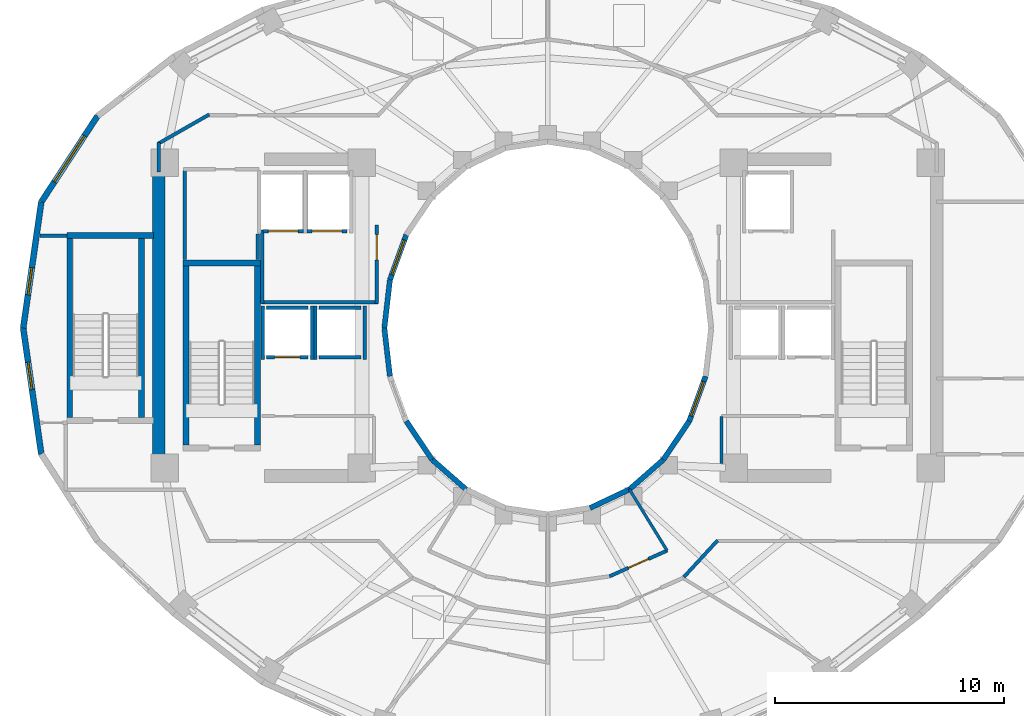
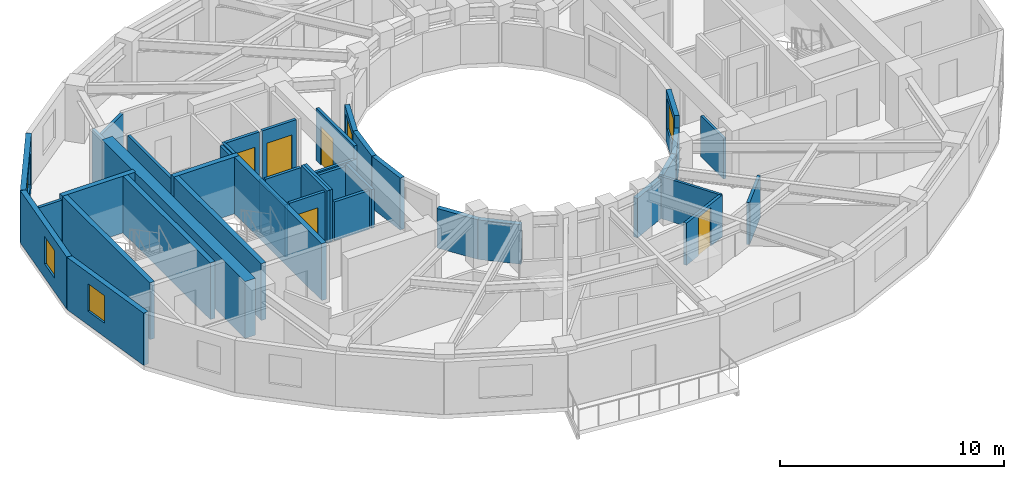
# One storey, part 4 of 9: 41 walls, 5 doors, 5 windows, 10 openings.
"""IFC4 building model written with IfcOpenShell, lengths in metres."""

from ifc_helpers import new_model, si_unit, direction, frame, frame_2d, origin, place, context, subcontext, project, spatial, rectangle, extrude, material, layer, layer_set, type_object, element, fill, save


model = new_model("IFC4")

# Units and contexts
model_context = context("Model", 3, precision=1e-05, world=origin(), true_north=direction((0.0, 1.0)))
body_context = subcontext(model_context, "Body", "Model", "MODEL_VIEW")
ifc_project = project(units=[si_unit("LENGTHUNIT", "METRE"), si_unit("AREAUNIT", "SQUARE_METRE"), si_unit("VOLUMEUNIT", "CUBIC_METRE"), si_unit("PLANEANGLEUNIT", "RADIAN"), si_unit("MASSUNIT", "GRAM", prefix="KILO")], contexts=[model_context])

# Site, building, storey
site_placement = place(None, origin())
site = spatial("IfcSite", under=ifc_project, at=site_placement, CompositionType="ELEMENT")
building_placement = place(site_placement, origin())
building = spatial("IfcBuilding", under=site, at=building_placement, Name="Solvane Sanctuary Tower", CompositionType="ELEMENT")
storey_placement = place(building_placement, frame((0.0, 0.0, 174.60009765625)))
storey = spatial("IfcBuildingStorey", under=building, at=storey_placement, Name="L53", CompositionType="ELEMENT", Elevation=174.60009765625)

# Walls
ifc_material_1 = material(Name="Concrete C50/60", Category="concrete")
ifc_layer_1 = layer(ifc_material_1, 0.550048828125, Name="Concrete C50/60")
ifc_layer_set_1 = layer_set([ifc_layer_1], Name="Concrete C50/60")
wall_type_1 = type_object("IfcWallType", Name="Wall W-CORE-550", PredefinedType="SHEAR", material=ifc_layer_set_1)
wall_1_placement = place(storey_placement, frame((15.050048828125, 17.050048828125, 0.0), z_axis=(0.0, 0.0, 1.0), x_axis=(0.0, 1.0, 0.0)))
element("IfcWall", 1, at=wall_1_placement, inside=storey, type_object=wall_type_1, Name="L53 Core Shear Wall WC-W", PredefinedType="SHEAR", context=body_context, shape_type="SweptSolid", body=[
    extrude(rectangle(XDim=12.800048828125, YDim=0.550048828125, at=frame_2d((6.39990234375, 0.0))), origin(), (0.0, 0.0, 1.0), 3.099853515625),
])
ifc_material_2 = material(Name="Acoustic Gypsum Partition Board")
ifc_layer_2 = layer(ifc_material_2, 0.14990234375, Name="Acoustic Gypsum Partition Board")
ifc_layer_set_2 = layer_set([ifc_layer_2], Name="Acoustic Gypsum Partition Board")
wall_type_2 = type_object("IfcWallType", Name="Wall W-CORR-150", PredefinedType="PARTITIONING", material=ifc_layer_set_2)
wall_2_placement = place(storey_placement, frame((19.52001953125, 24.1201171875, 0.0), z_axis=(0.0, 0.0, 1.0), x_axis=(1.0, 0.0, 0.0)))
element("IfcWall", 2, at=wall_2_placement, inside=storey, type_object=wall_type_2, Name="L53 West Firefighting Lobby South Wall", PredefinedType="PARTITIONING", context=body_context, shape_type="SweptSolid", body=[
    extrude(rectangle(XDim=5.080078125, YDim=0.14990234375, at=frame_2d((2.5400390625, 0.0))), origin(), (0.0, 0.0, 1.0), 2.119873046875),
])
wall_3_placement = place(storey_placement, frame((19.550048828125, 24.080078125, 0.0), z_axis=(0.0, 0.0, 1.0), x_axis=(0.0, 1.0, 0.0)))
element("IfcWall", 3, at=wall_3_placement, inside=storey, type_object=wall_type_2, Name="L53 West Firefighting Lobby West Wall", PredefinedType="PARTITIONING", context=body_context, shape_type="SweptSolid", body=[
    extrude(rectangle(XDim=3.199951171875, YDim=0.14990234375, at=frame_2d((1.60009765625, 0.0))), origin(), (0.0, 0.0, 1.0), 2.85498046875),
])

# Wall, opening, door
wall_4_placement = place(storey_placement, frame((24.550048828125, 24.080078125, 0.0), z_axis=(0.0, 0.0, 1.0), x_axis=(0.0, 1.0, 0.0)))
wall_4 = element("IfcWall", 4, at=wall_4_placement, inside=storey, type_object=wall_type_2, Name="L53 West Firefighting Lobby East Wall", PredefinedType="PARTITIONING", context=body_context, shape_type="SweptSolid", body=[
    extrude(rectangle(XDim=3.39990234375, YDim=0.14990234375, at=frame_2d((1.699951171875, 0.0))), origin(), (0.0, 0.0, 1.0), 2.85498046875),
])
opening_1_placement = place(wall_4_placement, frame((1.893798828125, 0.0, 0.0)))
opening_1 = element("IfcOpeningElement", 5, at=opening_1_placement, cuts=wall_4, Name="Opening D-L53-06", PredefinedType="OPENING", context=body_context, shape_type="SweptSolid", body=[
    extrude(rectangle(XDim=1.10009765625, YDim=2.10009765625, at=frame_2d((0.550048828125, 1.050048828125))), frame((0.0, 0.0849609375, 0.0), z_axis=(0.0, -1.0, 0.0), x_axis=(1.0, 0.0, 0.0)), (0.0, 0.0, 1.0), 0.169921875),
])
ifc_material_3 = material(Name="Architectural Stainless Steel 316", Category="steel")
door_type_1 = type_object("IfcDoorType", Name="Door D-FFL", OperationType="NOTDEFINED", PredefinedType="DOOR", material=ifc_material_3)
door_1_placement = place(opening_1_placement, origin())
door_1 = element("IfcDoor", 6, at=door_1_placement, inside=storey, type_object=door_type_1, Name="L53 West Firefighting Lobby Fire Door", OperationType="SINGLE_SWING_LEFT", OverallHeight=2.10009765625, OverallWidth=1.10009765625, PredefinedType="DOOR", context=body_context, shape_type="SweptSolid", body=[
    extrude(rectangle(XDim=1.10009765625, YDim=2.10009765625, at=frame_2d((0.550048828125, 1.050048828125))), frame((0.0, 0.02490234375, 0.0), z_axis=(0.0, -1.0, 0.0), x_axis=(1.0, 0.0, 0.0)), (0.0, 0.0, 1.0), 0.050048828125),
])
fill(opening_1, door_1)

# Walls
wall_5_placement = place(storey_placement, frame((9.869873046875, 27.030029296875, 0.0), z_axis=(0.0, 0.0, 1.0), x_axis=(1.0, 0.0, 0.0)))
element("IfcWall", 7, at=wall_5_placement, inside=storey, type_object=wall_type_2, Name="L53 NW Corner Closer 1", PredefinedType="PARTITIONING", context=body_context, shape_type="SweptSolid", body=[
    extrude(rectangle(XDim=1.170166015625, YDim=0.14990234375, at=frame_2d((0.5849609375, 0.0))), origin(), (0.0, 0.0, 1.0), 2.85498046875),
])
wall_6_placement = place(storey_placement, frame((15.050048828125, 29.800048828125, 0.0), z_axis=(0.0, 0.0, 1.0), x_axis=(0.0, 1.0, 0.0)))
element("IfcWall", 8, at=wall_6_placement, inside=storey, type_object=wall_type_2, Name="L53 NW Corner Closer 2", PredefinedType="PARTITIONING", context=body_context, shape_type="SweptSolid", body=[
    extrude(rectangle(XDim=1.2900390625, YDim=0.14990234375, at=frame_2d((0.64501953125, 0.0))), origin(), (0.0, 0.0, 1.0), 2.85498046875),
])
wall_7_placement = place(storey_placement, frame((17.243408203125, 32.3046875, 0.0), z_axis=(0.0, 0.0, 1.0), x_axis=(-0.867991349648, -0.496579315857, 0.0)))
element("IfcWall", 9, at=wall_7_placement, inside=storey, type_object=wall_type_2, Name="L53 NW Corner Wing Wall", PredefinedType="PARTITIONING", context=body_context, shape_type="SweptSolid", body=[
    extrude(rectangle(XDim=2.56689453125, YDim=0.14990234375, at=frame_2d((1.283447265625, 0.0))), origin(), (0.0, 0.0, 1.0), 2.219970703125),
])
wall_8_placement = place(storey_placement, frame((37.92822265625, 12.144287109375, 0.0), z_axis=(0.0, 0.0, 1.0), x_axis=(0.677579737957, 0.735449317567, 0.0)))
element("IfcWall", 10, at=wall_8_placement, inside=storey, type_object=wall_type_2, Name="L53 SE Corner Throat Wall", PredefinedType="PARTITIONING", context=body_context, shape_type="SweptSolid", body=[
    extrude(rectangle(XDim=2.172607421875, YDim=0.14990234375, at=frame_2d((1.08642578125, 0.0))), origin(), (0.0, 0.0, 1.0), 2.298828125),
])

# Wall, opening, door
wall_9_placement = place(storey_placement, frame((34.6904296875, 12.17919921875, 0.0), z_axis=(0.0, 0.0, 1.0), x_axis=(0.913145536541, 0.407633694749, 0.0)))
wall_9 = element("IfcWall", 11, at=wall_9_placement, inside=storey, type_object=wall_type_2, Name="L53 Inner Light-Well Corridor Wall S2", PredefinedType="PARTITIONING", context=body_context, shape_type="SweptSolid", body=[
    extrude(rectangle(XDim=2.75634765625, YDim=0.14990234375, at=frame_2d((1.378173828125, 0.0))), origin(), (0.0, 0.0, 1.0), 2.298828125),
])
opening_2_placement = place(wall_9_placement, frame((0.903076171875, 0.0, 0.0)))
opening_2 = element("IfcOpeningElement", 12, at=opening_2_placement, cuts=wall_9, Name="Opening D-L53-20", PredefinedType="OPENING", context=body_context, shape_type="SweptSolid", body=[
    extrude(rectangle(XDim=0.949951171875, YDim=2.10009765625, at=frame_2d((0.47509765625, 1.050048828125))), frame((0.0, 0.0849609375, 0.0), z_axis=(0.0, -1.0, 0.0), x_axis=(1.0, 0.0, 0.0)), (0.0, 0.0, 1.0), 0.169921875),
])
ifc_material_4 = material(Name="Engineered Tropical Hardwood", Category="wood")
door_type_2 = type_object("IfcDoorType", Name="Door D-ROOM-950", OperationType="NOTDEFINED", PredefinedType="DOOR", material=ifc_material_4)
door_2_placement = place(opening_2_placement, origin())
door_2 = element("IfcDoor", 13, at=door_2_placement, inside=storey, type_object=door_type_2, Name="L53 Inner Light-Well Salon Door S2", OperationType="SINGLE_SWING_LEFT", OverallHeight=2.10009765625, OverallWidth=0.949951171875, PredefinedType="DOOR", context=body_context, shape_type="SweptSolid", body=[
    extrude(rectangle(XDim=0.949951171875, YDim=2.10009765625, at=frame_2d((0.47509765625, 1.050048828125))), frame((0.0, 0.02490234375, 0.0), z_axis=(0.0, -1.0, 0.0), x_axis=(1.0, 0.0, 0.0)), (0.0, 0.0, 1.0), 0.050048828125),
])
fill(opening_2, door_2)

# Wall, opening, window
ifc_material_5 = material(Name="Precast concrete C40/50", Category="concrete")
ifc_layer_3 = layer(ifc_material_5, 0.260009765625, Name="Precast concrete C40/50")
ifc_layer_set_3 = layer_set([ifc_layer_3], Name="Precast concrete C40/50")
wall_type_3 = type_object("IfcWallType", Name="Wall W-EXT-250", PredefinedType="STANDARD", material=ifc_layer_set_3)
wall_10_placement = place(storey_placement, frame((12.380859375, 32.243408203125, 0.0), z_axis=(0.0, 0.0, 1.0), x_axis=(-0.547456494366, -0.836834145322, 0.0)))
wall_10 = element("IfcWall", 14, at=wall_10_placement, inside=storey, type_object=wall_type_3, Name="L53 Ceramic-Printed Facade Wall 10", PredefinedType="STANDARD", context=body_context, shape_type="SweptSolid", body=[
    extrude(rectangle(XDim=4.477294921875, YDim=0.260009765625, at=frame_2d((2.23876953125, 0.0))), origin(), (0.0, 0.0, 1.0), 2.849853515625),
])
opening_3_placement = place(wall_10_placement, frame((1.038818359375, 0.0, 0.75)))
opening_3 = element("IfcOpeningElement", 15, at=opening_3_placement, cuts=wall_10, Name="Opening WN-RIB-2400", PredefinedType="OPENING", context=body_context, shape_type="SweptSolid", body=[
    extrude(rectangle(XDim=2.39990234375, YDim=1.699951171875, at=frame_2d((1.199951171875, 0.85009765625))), frame((0.0, 0.139892578125, 0.0), z_axis=(0.0, -1.0, 0.0), x_axis=(1.0, 0.0, 0.0)), (0.0, 0.0, 1.0), 0.280029296875),
])
ifc_material_6 = material(Name="Dark Ceramic-Fritted Low-E Glass", Category="glass")
window_type_1 = type_object("IfcWindowType", Name="Window WN-RIB-2400", PartitioningType="SINGLE_PANEL", PredefinedType="WINDOW", material=ifc_material_6)
window_1_placement = place(opening_3_placement, origin())
window_1 = element("IfcWindow", 16, at=window_1_placement, inside=storey, type_object=window_type_1, Name="L53 Operable Facade Window 10", OverallHeight=1.699951171875, OverallWidth=2.39990234375, PartitioningType="SINGLE_PANEL", PredefinedType="WINDOW", context=body_context, shape_type="SweptSolid", body=[
    extrude(rectangle(XDim=2.39990234375, YDim=1.699951171875, at=frame_2d((1.199951171875, 0.85009765625))), frame((0.0, 0.030029296875, 0.0), z_axis=(0.0, -1.0, 0.0), x_axis=(1.0, 0.0, 0.0)), (0.0, 0.0, 1.0), 0.06005859375),
])
fill(opening_3, window_1)

wall_11_placement = place(storey_placement, frame((9.9296875, 28.49658203125, 0.0), z_axis=(0.0, 0.0, 1.0), x_axis=(-0.142227632286, -0.989833976288, 0.0)))
wall_11 = element("IfcWall", 17, at=wall_11_placement, inside=storey, type_object=wall_type_3, Name="L53 Ceramic-Printed Facade Wall 11", PredefinedType="STANDARD", context=body_context, shape_type="SweptSolid", body=[
    extrude(rectangle(XDim=5.552978515625, YDim=0.260009765625, at=frame_2d((2.7763671875, 0.0))), origin(), (0.0, 0.0, 1.0), 2.849853515625),
])
opening_4_placement = place(wall_11_placement, frame((2.892333984375, 0.0, 0.75)))
opening_4 = element("IfcOpeningElement", 18, at=opening_4_placement, cuts=wall_11, Name="Opening WN-OPER-1200", PredefinedType="OPENING", context=body_context, shape_type="SweptSolid", body=[
    extrude(rectangle(XDim=1.199951171875, YDim=1.5, at=frame_2d((0.60009765625, 0.75))), frame((0.0, 0.139892578125, 0.0), z_axis=(0.0, -1.0, 0.0), x_axis=(1.0, 0.0, 0.0)), (0.0, 0.0, 1.0), 0.280029296875),
])
window_type_2 = type_object("IfcWindowType", Name="Window WN-OPER-1200", PartitioningType="SINGLE_PANEL", PredefinedType="WINDOW", material=ifc_material_6)
window_2_placement = place(opening_4_placement, origin())
window_2 = element("IfcWindow", 19, at=window_2_placement, inside=storey, type_object=window_type_2, Name="L53 Operable Facade Window 11", OverallHeight=1.5, OverallWidth=1.199951171875, PartitioningType="SINGLE_PANEL", PredefinedType="WINDOW", context=body_context, shape_type="SweptSolid", body=[
    extrude(rectangle(XDim=1.199951171875, YDim=1.5, at=frame_2d((0.60009765625, 0.75))), frame((0.0, 0.030029296875, 0.0), z_axis=(0.0, -1.0, 0.0), x_axis=(1.0, 0.0, 0.0)), (0.0, 0.0, 1.0), 0.06005859375),
])
fill(opening_4, window_2)

wall_12_placement = place(storey_placement, frame((9.139892578125, 23.0, 0.0), z_axis=(0.0, 0.0, 1.0), x_axis=(0.142227632286, -0.989833976288, 0.0)))
wall_12 = element("IfcWall", 20, at=wall_12_placement, inside=storey, type_object=wall_type_3, Name="L53 Ceramic-Printed Facade Wall 12", PredefinedType="STANDARD", context=body_context, shape_type="SweptSolid", body=[
    extrude(rectangle(XDim=5.552978515625, YDim=0.260009765625, at=frame_2d((2.7763671875, 0.0))), origin(), (0.0, 0.0, 1.0), 2.849853515625),
])
opening_5_placement = place(wall_12_placement, frame((1.506103515625, 0.0, 0.75)))
opening_5 = element("IfcOpeningElement", 21, at=opening_5_placement, cuts=wall_12, Name="Opening WN-OPER-1200", PredefinedType="OPENING", context=body_context, shape_type="SweptSolid", body=[
    extrude(rectangle(XDim=1.199951171875, YDim=1.5, at=frame_2d((0.60009765625, 0.75))), frame((0.0, 0.139892578125, 0.0), z_axis=(0.0, -1.0, 0.0), x_axis=(1.0, 0.0, 0.0)), (0.0, 0.0, 1.0), 0.280029296875),
])
window_3_placement = place(opening_5_placement, origin())
window_3 = element("IfcWindow", 22, at=window_3_placement, inside=storey, type_object=window_type_2, Name="L53 Operable Facade Window 12", OverallHeight=1.5, OverallWidth=1.199951171875, PartitioningType="SINGLE_PANEL", PredefinedType="WINDOW", context=body_context, shape_type="SweptSolid", body=[
    extrude(rectangle(XDim=1.199951171875, YDim=1.5, at=frame_2d((0.60009765625, 0.75))), frame((0.0, 0.030029296875, 0.0), z_axis=(0.0, -1.0, 0.0), x_axis=(1.0, 0.0, 0.0)), (0.0, 0.0, 1.0), 0.06005859375),
])
fill(opening_5, window_3)

ifc_layer_4 = layer(ifc_material_5, 0.22998046875, Name="Precast concrete C40/50")
ifc_layer_set_4 = layer_set([ifc_layer_4], Name="Precast concrete C40/50")
wall_type_4 = type_object("IfcWallType", Name="Wall W-EXT-SP220", PredefinedType="STANDARD", material=ifc_layer_set_4)
wall_13_placement = place(storey_placement, frame((25.833984375, 27.06005859375, 0.0), z_axis=(0.0, 0.0, 1.0), x_axis=(-0.341423187295, -0.93990968033, 0.0)))
wall_13 = element("IfcWall", 23, at=wall_13_placement, inside=storey, type_object=wall_type_4, Name="L53 Central Light-Well Wall 10", PredefinedType="STANDARD", context=body_context, shape_type="SweptSolid", body=[
    extrude(rectangle(XDim=2.083740234375, YDim=0.22998046875, at=frame_2d((1.0419921875, 0.0))), origin(), (0.0, 0.0, 1.0), 2.83984375),
])
opening_6_placement = place(wall_13_placement, frame((0.24169921875, 0.0, 0.85009765625)))
opening_6 = element("IfcOpeningElement", 24, at=opening_6_placement, cuts=wall_13, Name="Opening WN-WELL-1600", PredefinedType="OPENING", context=body_context, shape_type="SweptSolid", body=[
    extrude(rectangle(XDim=1.60009765625, YDim=1.64990234375, at=frame_2d((0.800048828125, 0.824951171875))), frame((0.0, 0.125, 0.0), z_axis=(0.0, -1.0, 0.0), x_axis=(1.0, 0.0, 0.0)), (0.0, 0.0, 1.0), 0.25),
])
ifc_material_7 = material(Name="Clear Laminated Light-Well Glass", Category="glass")
window_type_3 = type_object("IfcWindowType", Name="Window WN-WELL-1600", PartitioningType="SINGLE_PANEL", PredefinedType="WINDOW", material=ifc_material_7)
window_4_placement = place(opening_6_placement, origin())
window_4 = element("IfcWindow", 25, at=window_4_placement, inside=storey, type_object=window_type_3, Name="L53 Light-Well Daylight Window 10", OverallHeight=1.64990234375, OverallWidth=1.60009765625, PartitioningType="SINGLE_PANEL", PredefinedType="WINDOW", context=body_context, shape_type="SweptSolid", body=[
    extrude(rectangle(XDim=1.60009765625, YDim=1.64990234375, at=frame_2d((0.800048828125, 0.824951171875))), frame((0.0, 0.030029296875, 0.0), z_axis=(0.0, -1.0, 0.0), x_axis=(1.0, 0.0, 0.0)), (0.0, 0.0, 1.0), 0.06005859375),
])
fill(opening_6, window_4)

# Walls
for number, where, z_axis, x_axis, name in (
    (26, (25.12255859375, 25.1015625, 0.0), (0.0, 0.0, 1.0), (-0.114711713601, -0.993398823617, 0.0), "L53 Central Light-Well Wall 11"),
    (27, (24.8798828125, 23.0, 0.0), (0.0, 0.0, 1.0), (0.114711713601, -0.993398823617, 0.0), "L53 Central Light-Well Wall 12"),
):
    element("IfcWall", number, at=place(storey_placement, frame(where, z_axis=z_axis, x_axis=x_axis)), inside=storey, type_object=wall_type_4, Name=name, PredefinedType="STANDARD", context=body_context, shape_type="SweptSolid", body=[
        extrude(rectangle(XDim=2.115478515625, YDim=0.22998046875, at=frame_2d((1.0576171875, 0.0))), origin(), (0.0, 0.0, 1.0), 2.83984375),
    ])
wall_14_placement = place(storey_placement, frame((25.833984375, 18.93994140625, 0.0), z_axis=(0.0, 0.0, 1.0), x_axis=(0.558197800898, -0.829707909492, 0.0)))
element("IfcWall", 28, at=wall_14_placement, inside=storey, type_object=wall_type_4, Name="L53 Central Light-Well Wall 14", PredefinedType="STANDARD", context=body_context, shape_type="SweptSolid", body=[
    extrude(rectangle(XDim=2.02685546875, YDim=0.22998046875, at=frame_2d((1.013427734375, 0.0))), origin(), (0.0, 0.0, 1.0), 2.159912109375),
])
wall_15_placement = place(storey_placement, frame((26.96533203125, 17.25830078125, 0.0), z_axis=(0.0, 0.0, 1.0), x_axis=(0.752576694707, -0.658504607869, 0.0)))
element("IfcWall", 29, at=wall_15_placement, inside=storey, type_object=wall_type_4, Name="L53 Central Light-Well Wall 15", PredefinedType="STANDARD", context=body_context, shape_type="SweptSolid", body=[
    extrude(rectangle(XDim=1.95947265625, YDim=0.22998046875, at=frame_2d((0.979736328125, 0.0))), origin(), (0.0, 0.0, 1.0), 2.159912109375),
])
wall_16_placement = place(storey_placement, frame((33.8427734375, 15.15673828125, 0.0), z_axis=(0.0, 0.0, 1.0), x_axis=(0.904179699603, 0.427152280606, 0.0)))
element("IfcWall", 30, at=wall_16_placement, inside=storey, type_object=wall_type_4, Name="L53 Central Light-Well Wall 19", PredefinedType="STANDARD", context=body_context, shape_type="SweptSolid", body=[
    extrude(rectangle(XDim=1.899169921875, YDim=0.22998046875, at=frame_2d((0.94970703125, 0.0))), origin(), (0.0, 0.0, 1.0), 2.159912109375),
])
wall_17_placement = place(storey_placement, frame((35.56005859375, 15.968017578125, 0.0), z_axis=(0.0, 0.0, 1.0), x_axis=(0.752576694707, 0.658504607869, 0.0)))
element("IfcWall", 31, at=wall_17_placement, inside=storey, type_object=wall_type_4, Name="L53 Central Light-Well Wall 20", PredefinedType="STANDARD", context=body_context, shape_type="SweptSolid", body=[
    extrude(rectangle(XDim=1.95947265625, YDim=0.22998046875, at=frame_2d((0.979736328125, 0.0))), origin(), (0.0, 0.0, 1.0), 2.159912109375),
])
wall_18_placement = place(storey_placement, frame((37.03466796875, 17.25830078125, 0.0), z_axis=(0.0, 0.0, 1.0), x_axis=(0.558197800898, 0.829707909492, 0.0)))
element("IfcWall", 32, at=wall_18_placement, inside=storey, type_object=wall_type_4, Name="L53 Central Light-Well Wall 21", PredefinedType="STANDARD", context=body_context, shape_type="SweptSolid", body=[
    extrude(rectangle(XDim=2.02685546875, YDim=0.22998046875, at=frame_2d((1.013427734375, 0.0))), origin(), (0.0, 0.0, 1.0), 2.159912109375),
])

# Wall, opening, window
wall_19_placement = place(storey_placement, frame((38.166015625, 18.93994140625, 0.0), z_axis=(0.0, 0.0, 1.0), x_axis=(0.341423187295, 0.93990968033, 0.0)))
wall_19 = element("IfcWall", 33, at=wall_19_placement, inside=storey, type_object=wall_type_4, Name="L53 Central Light-Well Wall 22", PredefinedType="STANDARD", context=body_context, shape_type="SweptSolid", body=[
    extrude(rectangle(XDim=2.083740234375, YDim=0.22998046875, at=frame_2d((1.0419921875, 0.0))), origin(), (0.0, 0.0, 1.0), 2.83984375),
])
opening_7_placement = place(wall_19_placement, frame((0.24169921875, 0.0, 0.85009765625)))
opening_7 = element("IfcOpeningElement", 34, at=opening_7_placement, cuts=wall_19, Name="Opening WN-WELL-1600", PredefinedType="OPENING", context=body_context, shape_type="SweptSolid", body=[
    extrude(rectangle(XDim=1.60009765625, YDim=1.64990234375, at=frame_2d((0.800048828125, 0.824951171875))), frame((0.0, 0.125, 0.0), z_axis=(0.0, -1.0, 0.0), x_axis=(1.0, 0.0, 0.0)), (0.0, 0.0, 1.0), 0.25),
])
window_5_placement = place(opening_7_placement, origin())
window_5 = element("IfcWindow", 35, at=window_5_placement, inside=storey, type_object=window_type_3, Name="L53 Light-Well Daylight Window 22", OverallHeight=1.64990234375, OverallWidth=1.60009765625, PartitioningType="SINGLE_PANEL", PredefinedType="WINDOW", context=body_context, shape_type="SweptSolid", body=[
    extrude(rectangle(XDim=1.60009765625, YDim=1.64990234375, at=frame_2d((0.800048828125, 0.824951171875))), frame((0.0, 0.030029296875, 0.0), z_axis=(0.0, -1.0, 0.0), x_axis=(1.0, 0.0, 0.0)), (0.0, 0.0, 1.0), 0.06005859375),
])
fill(opening_7, window_5)

# Walls
ifc_layer_5 = layer(ifc_material_2, 0.125, Name="Acoustic Gypsum Partition Board")
ifc_layer_set_5 = layer_set([ifc_layer_5], Name="Acoustic Gypsum Partition Board")
wall_type_5 = type_object("IfcWallType", Name="Wall W-PART-125", PredefinedType="PARTITIONING", material=ifc_layer_set_5)
wall_20_placement = place(storey_placement, frame((39.580078125, 17.10009765625, 0.0), z_axis=(0.0, 0.0, 1.0), x_axis=(0.0, 1.0, 0.0)))
element("IfcWall", 36, at=wall_20_placement, inside=storey, type_object=wall_type_5, Name="L53 Reclaimed Room Closer Wall PLE-1", PredefinedType="PARTITIONING", context=body_context, shape_type="SweptSolid", body=[
    extrude(rectangle(XDim=2.039794921875, YDim=0.125, at=frame_2d((1.02001953125, 0.0))), origin(), (0.0, 0.0, 1.0), 2.23193359375),
])
wall_21_placement = place(storey_placement, frame((35.550048828125, 15.985107421875, 0.0), z_axis=(0.0, 0.0, 1.0), x_axis=(0.523587550846, -0.851971875474, 0.0)))
element("IfcWall", 37, at=wall_21_placement, inside=storey, type_object=wall_type_5, Name="L53 Inner Light-Well Radial Wall 300", PredefinedType="PARTITIONING", context=body_context, shape_type="SweptSolid", body=[
    extrude(rectangle(XDim=3.153076171875, YDim=0.125, at=frame_2d((1.57666015625, 0.0))), origin(), (0.0, 0.0, 1.0), 2.298828125),
])

# Wall, opening, door
ifc_layer_6 = layer(ifc_material_1, 0.14990234375, Name="Concrete C50/60")
ifc_layer_set_6 = layer_set([ifc_layer_6], Name="Concrete C50/60")
wall_type_6 = type_object("IfcWallType", Name="Wall W-SHAFT-150", PredefinedType="SOLIDWALL", material=ifc_layer_set_6)
wall_22_placement = place(storey_placement, frame((19.739990234375, 21.719970703125, 0.0), z_axis=(0.0, 0.0, 1.0), x_axis=(1.0, 0.0, 0.0)))
wall_22 = element("IfcWall", 38, at=wall_22_placement, inside=storey, type_object=wall_type_6, Name="L53 PM-1 Lift Shaft Wall F", PredefinedType="SOLIDWALL", context=body_context, shape_type="SweptSolid", body=[
    extrude(rectangle(XDim=1.820068359375, YDim=0.14990234375, at=frame_2d((0.91015625, 0.0))), origin(), (0.0, 0.0, 1.0), 2.85498046875),
])
opening_8_placement = place(wall_22_placement, frame((0.360107421875, 0.0, 0.0)))
opening_8 = element("IfcOpeningElement", 39, at=opening_8_placement, cuts=wall_22, Name="Opening LD-L53-01", PredefinedType="OPENING", context=body_context, shape_type="SweptSolid", body=[
    extrude(rectangle(XDim=1.10009765625, YDim=2.10009765625, at=frame_2d((0.550048828125, 1.050048828125))), frame((0.0, 0.0849609375, 0.0), z_axis=(0.0, -1.0, 0.0), x_axis=(1.0, 0.0, 0.0)), (0.0, 0.0, 1.0), 0.169921875),
])
door_type_3 = type_object("IfcDoorType", Name="Door LD-PASS-1100", OperationType="NOTDEFINED", PredefinedType="DOOR", material=ifc_material_3)
door_3_placement = place(opening_8_placement, origin())
door_3 = element("IfcDoor", 40, at=door_3_placement, inside=storey, type_object=door_type_3, Name="L53 PM-1 Lift Landing Door", OperationType="DOUBLE_DOOR_SLIDING", OverallHeight=2.10009765625, OverallWidth=1.10009765625, PredefinedType="DOOR", context=body_context, shape_type="SweptSolid", body=[
    extrude(rectangle(XDim=1.10009765625, YDim=2.10009765625, at=frame_2d((0.550048828125, 1.050048828125))), frame((0.0, 0.02490234375, 0.0), z_axis=(0.0, -1.0, 0.0), x_axis=(1.0, 0.0, 0.0)), (0.0, 0.0, 1.0), 0.050048828125),
])
fill(opening_8, door_3)

# Walls
wall_23_placement = place(storey_placement, frame((19.739990234375, 23.8798828125, 0.0), z_axis=(0.0, 0.0, 1.0), x_axis=(1.0, 0.0, 0.0)))
element("IfcWall", 41, at=wall_23_placement, inside=storey, type_object=wall_type_6, Name="L53 PM-1 Lift Shaft Wall B", PredefinedType="SOLIDWALL", context=body_context, shape_type="SweptSolid", body=[
    extrude(rectangle(XDim=1.820068359375, YDim=0.14990234375, at=frame_2d((0.91015625, 0.0))), origin(), (0.0, 0.0, 1.0), 2.85498046875),
])
for number, where, z_axis, x_axis, name in (
    (42, (19.570068359375, 21.639892578125, 0.0), (0.0, 0.0, 1.0), (0.0, 1.0, 0.0), "L53 PM-1 Lift Shaft Wall S1"),
    (43, (21.72998046875, 21.639892578125, 0.0), (0.0, 0.0, 1.0), (0.0, 1.0, 0.0), "L53 PM-1 Lift Shaft Wall S2"),
):
    element("IfcWall", number, at=place(storey_placement, frame(where, z_axis=z_axis, x_axis=x_axis)), inside=storey, type_object=wall_type_6, Name=name, PredefinedType="SOLIDWALL", context=body_context, shape_type="SweptSolid", body=[
        extrude(rectangle(XDim=2.320068359375, YDim=0.14990234375, at=frame_2d((1.16015625, 0.0))), origin(), (0.0, 0.0, 1.0), 2.85498046875),
    ])
for number, where, z_axis, x_axis, name in (
    (44, (22.0400390625, 21.719970703125, 0.0), (0.0, 0.0, 1.0), (1.0, 0.0, 0.0), "L53 PH-1 Lift Shaft Wall F"),
    (45, (22.0400390625, 23.8798828125, 0.0), (0.0, 0.0, 1.0), (1.0, 0.0, 0.0), "L53 PH-1 Lift Shaft Wall B"),
):
    element("IfcWall", number, at=place(storey_placement, frame(where, z_axis=z_axis, x_axis=x_axis)), inside=storey, type_object=wall_type_6, Name=name, PredefinedType="SOLIDWALL", context=body_context, shape_type="SweptSolid", body=[
        extrude(rectangle(XDim=1.820068359375, YDim=0.14990234375, at=frame_2d((0.91015625, 0.0))), origin(), (0.0, 0.0, 1.0), 2.119873046875),
    ])
wall_24_placement = place(storey_placement, frame((21.8701171875, 21.639892578125, 0.0), z_axis=(0.0, 0.0, 1.0), x_axis=(0.0, 1.0, 0.0)))
element("IfcWall", 46, at=wall_24_placement, inside=storey, type_object=wall_type_6, Name="L53 PH-1 Lift Shaft Wall S1", PredefinedType="SOLIDWALL", context=body_context, shape_type="SweptSolid", body=[
    extrude(rectangle(XDim=2.320068359375, YDim=0.14990234375, at=frame_2d((1.16015625, 0.0))), origin(), (0.0, 0.0, 1.0), 2.85498046875),
])
wall_25_placement = place(storey_placement, frame((24.030029296875, 21.639892578125, 0.0), z_axis=(0.0, 0.0, 1.0), x_axis=(0.0, 1.0, 0.0)))
element("IfcWall", 47, at=wall_25_placement, inside=storey, type_object=wall_type_6, Name="L53 PH-1 Lift Shaft Wall S2", PredefinedType="SOLIDWALL", context=body_context, shape_type="SweptSolid", body=[
    extrude(rectangle(XDim=2.320068359375, YDim=0.14990234375, at=frame_2d((1.16015625, 0.0))), origin(), (0.0, 0.0, 1.0), 2.119873046875),
])

# Wall, opening, door
wall_26_placement = place(storey_placement, frame((19.590087890625, 27.219970703125, 0.0), z_axis=(0.0, 0.0, 1.0), x_axis=(1.0, 0.0, 0.0)))
wall_26 = element("IfcWall", 48, at=wall_26_placement, inside=storey, type_object=wall_type_6, Name="L53 FFL-1 Lift Shaft Wall F", PredefinedType="SOLIDWALL", context=body_context, shape_type="SweptSolid", body=[
    extrude(rectangle(XDim=1.760009765625, YDim=0.14990234375, at=frame_2d((0.8798828125, 0.0))), origin(), (0.0, 0.0, 1.0), 2.85498046875),
])
opening_9_placement = place(wall_26_placement, frame((0.22998046875, 0.0, 0.0)))
opening_9 = element("IfcOpeningElement", 49, at=opening_9_placement, cuts=wall_26, Name="Opening LD-L53-03", PredefinedType="OPENING", context=body_context, shape_type="SweptSolid", body=[
    extrude(rectangle(XDim=1.300048828125, YDim=2.10009765625, at=frame_2d((0.64990234375, 1.050048828125))), frame((0.0, 0.0849609375, 0.0), z_axis=(0.0, -1.0, 0.0), x_axis=(1.0, 0.0, 0.0)), (0.0, 0.0, 1.0), 0.169921875),
])
door_type_4 = type_object("IfcDoorType", Name="Door LD-FFL-1300", OperationType="NOTDEFINED", PredefinedType="DOOR", material=ifc_material_3)
door_4_placement = place(opening_9_placement, origin())
door_4 = element("IfcDoor", 50, at=door_4_placement, inside=storey, type_object=door_type_4, Name="L53 FFL-1 Lift Landing Door", OperationType="DOUBLE_DOOR_SLIDING", OverallHeight=2.10009765625, OverallWidth=1.300048828125, PredefinedType="DOOR", context=body_context, shape_type="SweptSolid", body=[
    extrude(rectangle(XDim=1.300048828125, YDim=2.10009765625, at=frame_2d((0.64990234375, 1.050048828125))), frame((0.0, 0.02490234375, 0.0), z_axis=(0.0, -1.0, 0.0), x_axis=(1.0, 0.0, 0.0)), (0.0, 0.0, 1.0), 0.050048828125),
])
fill(opening_9, door_4)

wall_27_placement = place(storey_placement, frame((21.5, 27.219970703125, 0.0), z_axis=(0.0, 0.0, 1.0), x_axis=(1.0, 0.0, 0.0)))
wall_27 = element("IfcWall", 51, at=wall_27_placement, inside=storey, type_object=wall_type_6, Name="L53 SVL-1 Lift Shaft Wall F", PredefinedType="SOLIDWALL", context=body_context, shape_type="SweptSolid", body=[
    extrude(rectangle(XDim=1.760009765625, YDim=0.14990234375, at=frame_2d((0.8798828125, 0.0))), origin(), (0.0, 0.0, 1.0), 2.85498046875),
])
opening_10_placement = place(wall_27_placement, frame((0.22998046875, 0.0, 0.0)))
opening_10 = element("IfcOpeningElement", 52, at=opening_10_placement, cuts=wall_27, Name="Opening LD-L53-04", PredefinedType="OPENING", context=body_context, shape_type="SweptSolid", body=[
    extrude(rectangle(XDim=1.300048828125, YDim=2.10009765625, at=frame_2d((0.64990234375, 1.050048828125))), frame((0.0, 0.0849609375, 0.0), z_axis=(0.0, -1.0, 0.0), x_axis=(1.0, 0.0, 0.0)), (0.0, 0.0, 1.0), 0.169921875),
])
door_5_placement = place(opening_10_placement, origin())
door_5 = element("IfcDoor", 53, at=door_5_placement, inside=storey, type_object=door_type_4, Name="L53 SVL-1 Lift Landing Door", OperationType="DOUBLE_DOOR_SLIDING", OverallHeight=2.10009765625, OverallWidth=1.300048828125, PredefinedType="DOOR", context=body_context, shape_type="SweptSolid", body=[
    extrude(rectangle(XDim=1.300048828125, YDim=2.10009765625, at=frame_2d((0.64990234375, 1.050048828125))), frame((0.0, 0.02490234375, 0.0), z_axis=(0.0, -1.0, 0.0), x_axis=(1.0, 0.0, 0.0)), (0.0, 0.0, 1.0), 0.050048828125),
])
fill(opening_10, door_5)

# Walls
ifc_layer_7 = layer(ifc_material_1, 0.25, Name="Concrete C50/60")
ifc_layer_set_7 = layer_set([ifc_layer_7], Name="Concrete C50/60")
wall_type_7 = type_object("IfcWallType", Name="Wall W-SHAFT-250", PredefinedType="SOLIDWALL", material=ifc_layer_set_7)
wall_28_placement = place(storey_placement, frame((16.10498046875, 25.830078125, 0.0), z_axis=(0.0, 0.0, 1.0), x_axis=(1.0, 0.0, 0.0)))
element("IfcWall", 54, at=wall_28_placement, inside=storey, type_object=wall_type_7, Name="L53 ST-1 Load-Bearing Shaft Wall N", PredefinedType="SOLIDWALL", context=body_context, shape_type="SweptSolid", body=[
    extrude(rectangle(XDim=3.3701171875, YDim=0.25, at=frame_2d((1.68505859375, 0.0))), origin(), (0.0, 0.0, 1.0), 3.099853515625),
])
for number, where, z_axis, x_axis, name in (
    (55, (16.22998046875, 17.89501953125, 0.0), (0.0, 0.0, 1.0), (0.0, 1.0, 0.0), "L53 ST-1 Load-Bearing Shaft Wall W"),
    (56, (19.35009765625, 17.89501953125, 0.0), (0.0, 0.0, 1.0), (0.0, 1.0, 0.0), "L53 ST-1 Load-Bearing Shaft Wall E"),
):
    element("IfcWall", number, at=place(storey_placement, frame(where, z_axis=z_axis, x_axis=x_axis)), inside=storey, type_object=wall_type_7, Name=name, PredefinedType="SOLIDWALL", context=body_context, shape_type="SweptSolid", body=[
        extrude(rectangle(XDim=7.81005859375, YDim=0.25, at=frame_2d((3.905029296875, 0.0))), origin(), (0.0, 0.0, 1.0), 3.099853515625),
    ])
wall_29_placement = place(storey_placement, frame((11.044921875, 27.030029296875, 0.0), z_axis=(0.0, 0.0, 1.0), x_axis=(1.0, 0.0, 0.0)))
element("IfcWall", 57, at=wall_29_placement, inside=storey, type_object=wall_type_7, Name="L53 ST-3 Load-Bearing Shaft Wall N", PredefinedType="SOLIDWALL", context=body_context, shape_type="SweptSolid", body=[
    extrude(rectangle(XDim=3.781982421875, YDim=0.25, at=frame_2d((1.89111328125, 0.0))), origin(), (0.0, 0.0, 1.0), 3.099853515625),
])
for number, where, z_axis, x_axis, name in (
    (58, (11.169921875, 19.094970703125, 0.0), (0.0, 0.0, 1.0), (0.0, 1.0, 0.0), "L53 ST-3 Load-Bearing Shaft Wall W"),
    (59, (14.2900390625, 19.094970703125, 0.0), (0.0, 0.0, 1.0), (0.0, 1.0, 0.0), "L53 ST-3 Load-Bearing Shaft Wall E"),
):
    element("IfcWall", number, at=place(storey_placement, frame(where, z_axis=z_axis, x_axis=x_axis)), inside=storey, type_object=wall_type_7, Name=name, PredefinedType="SOLIDWALL", context=body_context, shape_type="SweptSolid", body=[
        extrude(rectangle(XDim=7.81005859375, YDim=0.25, at=frame_2d((3.905029296875, 0.0))), origin(), (0.0, 0.0, 1.0), 3.099853515625),
    ])
ifc_layer_8 = layer(ifc_material_2, 0.139892578125, Name="Acoustic Gypsum Partition Board")
ifc_layer_set_8 = layer_set([ifc_layer_8], Name="Acoustic Gypsum Partition Board")
wall_type_8 = type_object("IfcWallType", Name="Wall W-WET-140", PredefinedType="PLUMBINGWALL", material=ifc_layer_set_8)
wall_30_placement = place(storey_placement, frame((16.179931640625, 25.97998046875, 0.0), z_axis=(0.0, 0.0, 1.0), x_axis=(0.0, 1.0, 0.0)))
element("IfcWall", 60, at=wall_30_placement, inside=storey, type_object=wall_type_8, Name="L53 Core Service Side Wall KW0-1", PredefinedType="PLUMBINGWALL", context=body_context, shape_type="SweptSolid", body=[
    extrude(rectangle(XDim=3.880126953125, YDim=0.139892578125, at=frame_2d((1.93994140625, 0.0))), origin(), (0.0, 0.0, 1.0), 2.85498046875),
])
wall_31_placement = place(storey_placement, frame((19.360107421875, 25.97998046875, 0.0), z_axis=(0.0, 0.0, 1.0), x_axis=(0.0, 1.0, 0.0)))
element("IfcWall", 61, at=wall_31_placement, inside=storey, type_object=wall_type_8, Name="L53 Core Service Side Wall KW0-2", PredefinedType="PLUMBINGWALL", context=body_context, shape_type="SweptSolid", body=[
    extrude(rectangle(XDim=1.1201171875, YDim=0.139892578125, at=frame_2d((0.56005859375, 0.0))), origin(), (0.0, 0.0, 1.0), 2.85498046875),
])

save(model, "model.ifc")
